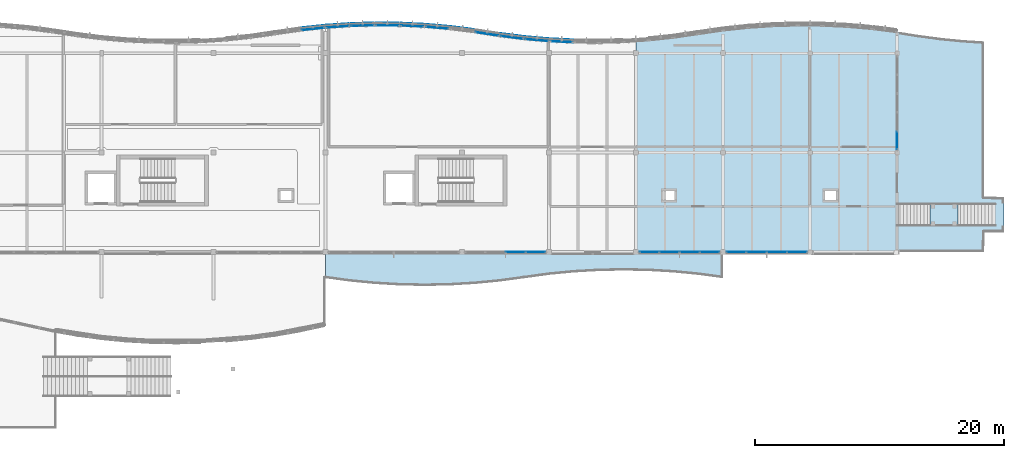
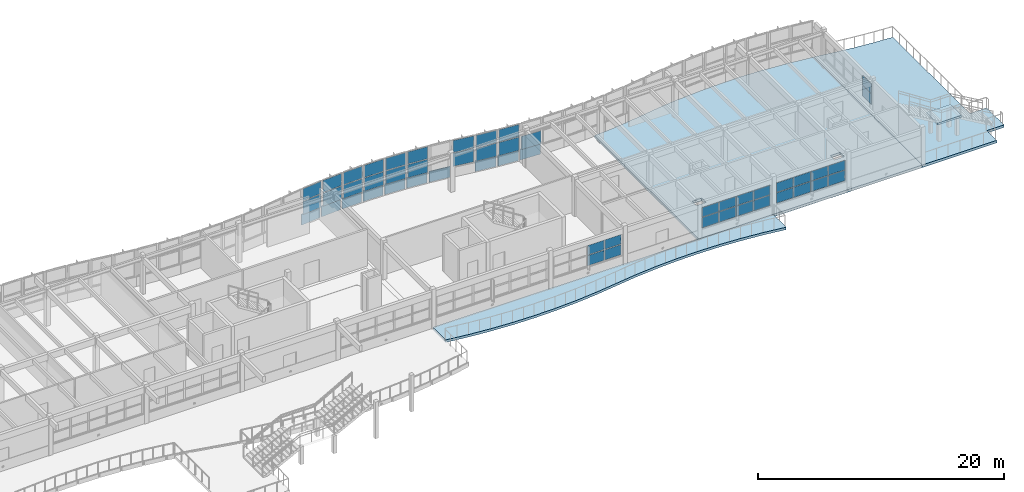
# One storey, part 26 of 52: 51 plates, 4 slabs, 15 elements without a shape of their own.
"""IFC4 building model written with IfcOpenShell, lengths in metres."""

from ifc_helpers import new_model, si_unit, direction, frame, origin, origin_2d, place, context, subcontext, project, spatial, polyline, rectangle, outline, extrude, material, layer, layer_set, type_object, element, aggregate, save


model = new_model("IFC4")

# Units and contexts
model_context = context("Model", 3, precision=1e-05, world=origin(), true_north=direction((0.0, 1.0)))
body_context = subcontext(model_context, "Body", "Model", "MODEL_VIEW")
ifc_project = project(units=[si_unit("LENGTHUNIT", "METRE"), si_unit("AREAUNIT", "SQUARE_METRE"), si_unit("VOLUMEUNIT", "CUBIC_METRE"), si_unit("PLANEANGLEUNIT", "RADIAN"), si_unit("MASSUNIT", "GRAM", prefix="KILO")], contexts=[model_context])

# Site, building, storey
site_placement = place(None, origin())
site = spatial("IfcSite", under=ifc_project, at=site_placement, CompositionType="ELEMENT")
building_placement = place(site_placement, origin())
building = spatial("IfcBuilding", under=site, at=building_placement, Name="Tonlespit Floodbar School", CompositionType="ELEMENT")
storey_placement = place(building_placement, frame((0.0, 0.0, 12.300048828125)))
storey = spatial("IfcBuildingStorey", under=building, at=storey_placement, Name="L03", CompositionType="ELEMENT", Elevation=12.300048828125)

# Curtain wall, plates
ifc_material_1 = material(Name="Anodised Aluminium", Category="aluminium")
ifc_layer_1 = layer(ifc_material_1, 0.159912109375)
ifc_layer_set_1 = layer_set([ifc_layer_1], Name="Anodised Aluminium")
curtain_wall_type_1 = type_object("IfcCurtainWallType", Name="CurtainWall_1900x2700", PredefinedType="NOTDEFINED", material=ifc_layer_set_1)
curtain_wall_1_placement = place(storey_placement, origin())
curtain_wall_1 = element("IfcCurtainWall", 1, at=curtain_wall_1_placement, inside=storey, type_object=curtain_wall_type_1, Name="L03 unitised curtain wall 0449", PredefinedType="NOTDEFINED")
ifc_material_2 = material(Name="Laminated Low-E Glass", Category="glass")
ifc_layer_2 = layer(ifc_material_2, 0.028076171875)
ifc_layer_set_2 = layer_set([ifc_layer_2], Name="Laminated Low-E Glass")
plate_type_1 = type_object("IfcPlateType", Name="CW_Panel_Glaz_28", PredefinedType="CURTAIN_PANEL", material=ifc_layer_set_2)
plate_1_placement = place(storey_placement, frame((123.0, 122.1796875, 1.01513671875), z_axis=(0.0, 0.0, 1.0), x_axis=(0.998841500616, -0.048121270216, 0.0)))
plate_1 = element("IfcPlate", 2, at=plate_1_placement, type_object=plate_type_1, Name="CW-05 panel 1.1", PredefinedType="CURTAIN_PANEL", context=body_context, shape_type="SweptSolid", body=[
    extrude(rectangle(XDim=1.792236328125, YDim=0.028076171875, at=origin_2d()), origin(), (0.0, 0.0, 1.0), 1.306396484375),
])
plate_2_placement = place(storey_placement, frame((123.0, 122.1796875, 2.38623046875), z_axis=(0.0, 0.0, 1.0), x_axis=(0.998841500616, -0.048121270216, 0.0)))
plate_2 = element("IfcPlate", 3, at=plate_2_placement, type_object=plate_type_1, Name="CW-05 panel 1.2", PredefinedType="CURTAIN_PANEL", context=body_context, shape_type="SweptSolid", body=[
    extrude(rectangle(XDim=1.792236328125, YDim=0.028076171875, at=origin_2d()), origin(), (0.0, 0.0, 1.0), 1.198486328125),
])
aggregate(curtain_wall_1, [plate_1, plate_2])

ifc_layer_3 = layer(ifc_material_1, 0.159912109375)
ifc_layer_set_3 = layer_set([ifc_layer_3], Name="Anodised Aluminium")
curtain_wall_type_2 = type_object("IfcCurtainWallType", Name="CurtainWall_1950x2700", PredefinedType="NOTDEFINED", material=ifc_layer_set_3)
curtain_wall_2_placement = place(storey_placement, origin())
curtain_wall_2 = element("IfcCurtainWall", 4, at=curtain_wall_2_placement, inside=storey, type_object=curtain_wall_type_2, Name="L03 unitised curtain wall 0453", PredefinedType="NOTDEFINED")
plate_3_placement = place(storey_placement, frame((131.0, 121.268310546875, 1.01513671875), z_axis=(0.0, 0.0, 1.0), x_axis=(0.992155002499, -0.125013803299, 0.0)))
plate_3 = element("IfcPlate", 5, at=plate_3_placement, type_object=plate_type_1, Name="CW-04 panel 1.1", PredefinedType="CURTAIN_PANEL", context=body_context, shape_type="SweptSolid", body=[
    extrude(rectangle(XDim=1.805908203125, YDim=0.028076171875, at=origin_2d()), origin(), (0.0, 0.0, 1.0), 1.306396484375),
])
plate_4_placement = place(storey_placement, frame((131.0, 121.268310546875, 2.38623046875), z_axis=(0.0, 0.0, 1.0), x_axis=(0.992155002499, -0.125013803299, 0.0)))
plate_4 = element("IfcPlate", 6, at=plate_4_placement, type_object=plate_type_1, Name="CW-04 panel 1.2", PredefinedType="CURTAIN_PANEL", context=body_context, shape_type="SweptSolid", body=[
    extrude(rectangle(XDim=1.805908203125, YDim=0.028076171875, at=origin_2d()), origin(), (0.0, 0.0, 1.0), 1.198486328125),
])
aggregate(curtain_wall_2, [plate_3, plate_4])

ifc_layer_4 = layer(ifc_material_1, 0.159912109375)
ifc_layer_set_4 = layer_set([ifc_layer_4], Name="Anodised Aluminium")
curtain_wall_type_3 = type_object("IfcCurtainWallType", Name="CurtainWall_7550x2150", PredefinedType="NOTDEFINED", material=ifc_layer_set_4)
curtain_wall_3_placement = place(storey_placement, origin())
curtain_wall_3 = element("IfcCurtainWall", 7, at=curtain_wall_3_placement, inside=storey, type_object=curtain_wall_type_3, Name="L03 unitised curtain wall 0469", PredefinedType="NOTDEFINED")
plate_5_placement = place(storey_placement, frame((162.0, 112.9921875, 1.01513671875), z_axis=(0.0, 0.0, 1.0), x_axis=(0.0, -1.0, 0.0)))
plate_5 = element("IfcPlate", 8, at=plate_5_placement, type_object=plate_type_1, Name="CW-37 panel 5.1", PredefinedType="CURTAIN_PANEL", context=body_context, shape_type="SweptSolid", body=[
    extrude(rectangle(XDim=1.41455078125, YDim=0.028076171875, at=origin_2d()), origin(), (0.0, 0.0, 1.0), 1.014404296875),
])
plate_6_placement = place(storey_placement, frame((162.0, 112.9921875, 2.09423828125), z_axis=(0.0, 0.0, 1.0), x_axis=(0.0, -1.0, 0.0)))
plate_6 = element("IfcPlate", 9, at=plate_6_placement, type_object=plate_type_1, Name="CW-37 panel 5.2", PredefinedType="CURTAIN_PANEL", context=body_context, shape_type="SweptSolid", body=[
    extrude(rectangle(XDim=1.41455078125, YDim=0.028076171875, at=origin_2d()), origin(), (0.0, 0.0, 1.0), 0.9287109375),
])
aggregate(curtain_wall_3, [plate_5, plate_6])

curtain_wall_4_placement = place(storey_placement, origin())
curtain_wall_4 = element("IfcCurtainWall", 10, at=curtain_wall_4_placement, inside=storey, type_object=curtain_wall_type_1, Name="L03 unitised curtain wall 0446", PredefinedType="NOTDEFINED")
ifc_layer_5 = layer(ifc_material_2, 0.031982421875)
ifc_layer_set_5 = layer_set([ifc_layer_5], Name="Laminated Low-E Glass")
plate_type_2 = type_object("IfcPlateType", Name="CW_Panel_Glaz_32", PredefinedType="CURTAIN_PANEL", material=ifc_layer_set_5)
plate_7_placement = place(storey_placement, frame((117.0, 122.121826171875, 1.01513671875), z_axis=(0.0, 0.0, 1.0), x_axis=(0.99773010165, 0.067339767311, 0.0)))
plate_7 = element("IfcPlate", 11, at=plate_7_placement, type_object=plate_type_2, Name="CW-05 panel 1.1", PredefinedType="CURTAIN_PANEL", context=body_context, shape_type="SweptSolid", body=[
    extrude(rectangle(XDim=1.794677734375, YDim=0.031982421875, at=origin_2d()), origin(), (0.0, 0.0, 1.0), 1.306396484375),
])
plate_8_placement = place(storey_placement, frame((117.0, 122.121826171875, 2.38623046875), z_axis=(0.0, 0.0, 1.0), x_axis=(0.99773010165, 0.067339767311, 0.0)))
plate_8 = element("IfcPlate", 12, at=plate_8_placement, type_object=plate_type_2, Name="CW-05 panel 1.2", PredefinedType="CURTAIN_PANEL", context=body_context, shape_type="SweptSolid", body=[
    extrude(rectangle(XDim=1.794677734375, YDim=0.031982421875, at=origin_2d()), origin(), (0.0, 0.0, 1.0), 1.198486328125),
])
aggregate(curtain_wall_4, [plate_7, plate_8])

curtain_wall_5_placement = place(storey_placement, origin())
curtain_wall_5 = element("IfcCurtainWall", 13, at=curtain_wall_5_placement, inside=storey, type_object=curtain_wall_type_2, Name="L03 unitised curtain wall 0450", PredefinedType="NOTDEFINED")
plate_9_placement = place(storey_placement, frame((125.0, 122.044677734375, 1.01513671875), z_axis=(0.0, 0.0, 1.0), x_axis=(0.996249148412, -0.086531117454, 0.0)))
plate_9 = element("IfcPlate", 14, at=plate_9_placement, type_object=plate_type_2, Name="CW-04 panel 1.1", PredefinedType="CURTAIN_PANEL", context=body_context, shape_type="SweptSolid", body=[
    extrude(rectangle(XDim=1.797607421875, YDim=0.031982421875, at=origin_2d()), origin(), (0.0, 0.0, 1.0), 1.306396484375),
])
plate_10_placement = place(storey_placement, frame((125.0, 122.044677734375, 2.38623046875), z_axis=(0.0, 0.0, 1.0), x_axis=(0.996249148412, -0.086531117454, 0.0)))
plate_10 = element("IfcPlate", 15, at=plate_10_placement, type_object=plate_type_2, Name="CW-04 panel 1.2", PredefinedType="CURTAIN_PANEL", context=body_context, shape_type="SweptSolid", body=[
    extrude(rectangle(XDim=1.797607421875, YDim=0.031982421875, at=origin_2d()), origin(), (0.0, 0.0, 1.0), 1.198486328125),
])
aggregate(curtain_wall_5, [plate_9, plate_10])

curtain_wall_6_placement = place(storey_placement, origin())
curtain_wall_6 = element("IfcCurtainWall", 16, at=curtain_wall_6_placement, inside=storey, type_object=curtain_wall_type_2, Name="L03 unitised curtain wall 0454", PredefinedType="NOTDEFINED")
plate_11_placement = place(storey_placement, frame((133.0, 121.055419921875, 1.01513671875), z_axis=(0.0, 0.0, 1.0), x_axis=(0.996249148412, -0.086531117454, 0.0)))
plate_11 = element("IfcPlate", 17, at=plate_11_placement, type_object=plate_type_2, Name="CW-04 panel 1.1", PredefinedType="CURTAIN_PANEL", context=body_context, shape_type="SweptSolid", body=[
    extrude(rectangle(XDim=1.797607421875, YDim=0.031982421875, at=origin_2d()), origin(), (0.0, 0.0, 1.0), 1.306396484375),
])
plate_12_placement = place(storey_placement, frame((133.0, 121.055419921875, 2.38623046875), z_axis=(0.0, 0.0, 1.0), x_axis=(0.996249148412, -0.086531117454, 0.0)))
plate_12 = element("IfcPlate", 18, at=plate_12_placement, type_object=plate_type_2, Name="CW-04 panel 1.2", PredefinedType="CURTAIN_PANEL", context=body_context, shape_type="SweptSolid", body=[
    extrude(rectangle(XDim=1.797607421875, YDim=0.031982421875, at=origin_2d()), origin(), (0.0, 0.0, 1.0), 1.198486328125),
])
aggregate(curtain_wall_6, [plate_11, plate_12])

ifc_layer_6 = layer(ifc_material_1, 0.159912109375)
ifc_layer_set_6 = layer_set([ifc_layer_6], Name="Anodised Aluminium")
curtain_wall_type_4 = type_object("IfcCurtainWallType", Name="CurtainWall_6550x2150", PredefinedType="NOTDEFINED", material=ifc_layer_set_6)
curtain_wall_7_placement = place(storey_placement, origin())
curtain_wall_7 = element("IfcCurtainWall", 19, at=curtain_wall_7_placement, inside=storey, type_object=curtain_wall_type_4, Name="L03 unitised curtain wall 0470", PredefinedType="NOTDEFINED")
plate_13_placement = place(storey_placement, frame((153.9462890625, 104.0, 1.01513671875), z_axis=(0.0, 0.0, 1.0), x_axis=(-1.0, 0.0, 0.0)))
plate_13 = element("IfcPlate", 20, at=plate_13_placement, type_object=plate_type_2, Name="CW-66 panel 1.1", PredefinedType="CURTAIN_PANEL", context=body_context, shape_type="SweptSolid", body=[
    extrude(rectangle(XDim=1.53759765625, YDim=0.031982421875, at=origin_2d()), origin(), (0.0, 0.0, 1.0), 1.014404296875),
])
plate_14_placement = place(storey_placement, frame((153.9462890625, 104.0, 2.09423828125), z_axis=(0.0, 0.0, 1.0), x_axis=(-1.0, 0.0, 0.0)))
plate_14 = element("IfcPlate", 21, at=plate_14_placement, type_object=plate_type_2, Name="CW-66 panel 1.2", PredefinedType="CURTAIN_PANEL", context=body_context, shape_type="SweptSolid", body=[
    extrude(rectangle(XDim=1.53759765625, YDim=0.031982421875, at=origin_2d()), origin(), (0.0, 0.0, 1.0), 0.9287109375),
])
plate_15_placement = place(storey_placement, frame((152.327392578125, 104.0, 1.01513671875), z_axis=(0.0, 0.0, 1.0), x_axis=(-1.0, 0.0, 0.0)))
plate_15 = element("IfcPlate", 22, at=plate_15_placement, type_object=plate_type_2, Name="CW-66 panel 2.1", PredefinedType="CURTAIN_PANEL", context=body_context, shape_type="SweptSolid", body=[
    extrude(rectangle(XDim=1.570068359375, YDim=0.031982421875, at=origin_2d()), origin(), (0.0, 0.0, 1.0), 1.014404296875),
])
plate_16_placement = place(storey_placement, frame((152.327392578125, 104.0, 2.09423828125), z_axis=(0.0, 0.0, 1.0), x_axis=(-1.0, 0.0, 0.0)))
plate_16 = element("IfcPlate", 23, at=plate_16_placement, type_object=plate_type_2, Name="CW-66 panel 2.2", PredefinedType="CURTAIN_PANEL", context=body_context, shape_type="SweptSolid", body=[
    extrude(rectangle(XDim=1.570068359375, YDim=0.031982421875, at=origin_2d()), origin(), (0.0, 0.0, 1.0), 0.9287109375),
])
plate_17_placement = place(storey_placement, frame((150.6923828125, 104.0, 1.01513671875), z_axis=(0.0, 0.0, 1.0), x_axis=(-1.0, 0.0, 0.0)))
plate_17 = element("IfcPlate", 24, at=plate_17_placement, type_object=plate_type_2, Name="CW-66 panel 3.1", PredefinedType="CURTAIN_PANEL", context=body_context, shape_type="SweptSolid", body=[
    extrude(rectangle(XDim=1.570068359375, YDim=0.031982421875, at=origin_2d()), origin(), (0.0, 0.0, 1.0), 1.014404296875),
])
plate_18_placement = place(storey_placement, frame((150.6923828125, 104.0, 2.09423828125), z_axis=(0.0, 0.0, 1.0), x_axis=(-1.0, 0.0, 0.0)))
plate_18 = element("IfcPlate", 25, at=plate_18_placement, type_object=plate_type_2, Name="CW-66 panel 3.2", PredefinedType="CURTAIN_PANEL", context=body_context, shape_type="SweptSolid", body=[
    extrude(rectangle(XDim=1.570068359375, YDim=0.031982421875, at=origin_2d()), origin(), (0.0, 0.0, 1.0), 0.9287109375),
])
plate_19_placement = place(storey_placement, frame((149.07373046875, 104.0, 1.01513671875), z_axis=(0.0, 0.0, 1.0), x_axis=(-1.0, 0.0, 0.0)))
plate_19 = element("IfcPlate", 26, at=plate_19_placement, type_object=plate_type_2, Name="CW-66 panel 4.1", PredefinedType="CURTAIN_PANEL", context=body_context, shape_type="SweptSolid", body=[
    extrude(rectangle(XDim=1.53759765625, YDim=0.031982421875, at=origin_2d()), origin(), (0.0, 0.0, 1.0), 1.014404296875),
])
plate_20_placement = place(storey_placement, frame((149.07373046875, 104.0, 2.09423828125), z_axis=(0.0, 0.0, 1.0), x_axis=(-1.0, 0.0, 0.0)))
plate_20 = element("IfcPlate", 27, at=plate_20_placement, type_object=plate_type_2, Name="CW-66 panel 4.2", PredefinedType="CURTAIN_PANEL", context=body_context, shape_type="SweptSolid", body=[
    extrude(rectangle(XDim=1.53759765625, YDim=0.031982421875, at=origin_2d()), origin(), (0.0, 0.0, 1.0), 0.9287109375),
])
aggregate(curtain_wall_7, [plate_13, plate_14, plate_15, plate_16, plate_17, plate_18, plate_19, plate_20])

curtain_wall_8_placement = place(storey_placement, origin())
curtain_wall_8 = element("IfcCurtainWall", 28, at=curtain_wall_8_placement, inside=storey, type_object=curtain_wall_type_2, Name="L03 unitised curtain wall 0159", PredefinedType="NOTDEFINED")
ifc_layer_7 = layer(ifc_material_2, 0.035888671875)
ifc_layer_set_7 = layer_set([ifc_layer_7], Name="Laminated Low-E Glass")
plate_type_3 = type_object("IfcPlateType", Name="CW_Panel_Glaz_36", PredefinedType="CURTAIN_PANEL", material=ifc_layer_set_7)
plate_21_placement = place(storey_placement, frame((115.0, 121.947998046875, 1.01513671875), z_axis=(0.0, 0.0, 1.0), x_axis=(0.994388797288, 0.105787143968, 0.0)))
plate_21 = element("IfcPlate", 29, at=plate_21_placement, type_object=plate_type_3, Name="CW-04 panel 1.1", PredefinedType="CURTAIN_PANEL", context=body_context, shape_type="SweptSolid", body=[
    extrude(rectangle(XDim=1.80126953125, YDim=0.035888671875, at=origin_2d()), origin(), (0.0, 0.0, 1.0), 1.306396484375),
])
plate_22_placement = place(storey_placement, frame((115.0, 121.947998046875, 2.38623046875), z_axis=(0.0, 0.0, 1.0), x_axis=(0.994388797288, 0.105787143968, 0.0)))
plate_22 = element("IfcPlate", 30, at=plate_22_placement, type_object=plate_type_3, Name="CW-04 panel 1.2", PredefinedType="CURTAIN_PANEL", context=body_context, shape_type="SweptSolid", body=[
    extrude(rectangle(XDim=1.80126953125, YDim=0.035888671875, at=origin_2d()), origin(), (0.0, 0.0, 1.0), 1.198486328125),
])
aggregate(curtain_wall_8, [plate_21, plate_22])

curtain_wall_9_placement = place(storey_placement, origin())
curtain_wall_9 = element("IfcCurtainWall", 31, at=curtain_wall_9_placement, inside=storey, type_object=curtain_wall_type_1, Name="L03 unitised curtain wall 0447", PredefinedType="NOTDEFINED")
plate_23_placement = place(storey_placement, frame((119.0, 122.21826171875, 1.01513671875), z_axis=(0.0, 0.0, 1.0), x_axis=(0.999585477883, 0.028790144226, 0.0)))
plate_23 = element("IfcPlate", 32, at=plate_23_placement, type_object=plate_type_3, Name="CW-05 panel 1.1", PredefinedType="CURTAIN_PANEL", context=body_context, shape_type="SweptSolid", body=[
    extrude(rectangle(XDim=1.790771484375, YDim=0.035888671875, at=origin_2d()), origin(), (0.0, 0.0, 1.0), 1.306396484375),
])
plate_24_placement = place(storey_placement, frame((119.0, 122.21826171875, 2.38623046875), z_axis=(0.0, 0.0, 1.0), x_axis=(0.999585477883, 0.028790144226, 0.0)))
plate_24 = element("IfcPlate", 33, at=plate_24_placement, type_object=plate_type_3, Name="CW-05 panel 1.2", PredefinedType="CURTAIN_PANEL", context=body_context, shape_type="SweptSolid", body=[
    extrude(rectangle(XDim=1.790771484375, YDim=0.035888671875, at=origin_2d()), origin(), (0.0, 0.0, 1.0), 1.198486328125),
])
aggregate(curtain_wall_9, [plate_23, plate_24])

# Curtain wall, plate
curtain_wall_10_placement = place(storey_placement, origin())
curtain_wall_10 = element("IfcCurtainWall", 34, at=curtain_wall_10_placement, inside=storey, type_object=curtain_wall_type_1, Name="L03 unitised curtain wall 0455", PredefinedType="NOTDEFINED")
plate_25_placement = place(storey_placement, frame((135.0, 120.92041015625, 1.01513671875), z_axis=(0.0, 0.0, 1.0), x_axis=(0.998841500616, -0.048121270216, 0.0)))
plate_25 = element("IfcPlate", 35, at=plate_25_placement, type_object=plate_type_3, Name="CW-05 panel 1.1", PredefinedType="CURTAIN_PANEL", context=body_context, shape_type="SweptSolid", body=[
    extrude(rectangle(XDim=1.792236328125, YDim=0.035888671875, at=origin_2d()), origin(), (0.0, 0.0, 1.0), 1.306396484375),
])
aggregate(curtain_wall_10, [plate_25])

# Curtain wall, plates
ifc_layer_8 = layer(ifc_material_1, 0.159912109375)
ifc_layer_set_8 = layer_set([ifc_layer_8], Name="Anodised Aluminium")
curtain_wall_type_5 = type_object("IfcCurtainWallType", Name="CurtainWall_6500x2150", PredefinedType="NOTDEFINED", material=ifc_layer_set_8)
curtain_wall_11_placement = place(storey_placement, origin())
curtain_wall_11 = element("IfcCurtainWall", 36, at=curtain_wall_11_placement, inside=storey, type_object=curtain_wall_type_5, Name="L03 unitised curtain wall 0471", PredefinedType="NOTDEFINED")
plate_26_placement = place(storey_placement, frame((146.9287109375, 104.0, 1.014892578125), z_axis=(0.0, 0.0, 1.0), x_axis=(-1.0, 0.0, 0.0)))
plate_26 = element("IfcPlate", 37, at=plate_26_placement, type_object=plate_type_3, Name="CW-67 panel 1.1", PredefinedType="CURTAIN_PANEL", context=body_context, shape_type="SweptSolid", body=[
    extrude(rectangle(XDim=1.532470703125, YDim=0.035888671875, at=origin_2d()), origin(), (0.0, 0.0, 1.0), 1.0126953125),
])
plate_27_placement = place(storey_placement, frame((146.9287109375, 104.0, 2.0927734375), z_axis=(0.0, 0.0, 1.0), x_axis=(-1.0, 0.0, 0.0)))
plate_27 = element("IfcPlate", 38, at=plate_27_placement, type_object=plate_type_3, Name="CW-67 panel 1.2", PredefinedType="CURTAIN_PANEL", context=body_context, shape_type="SweptSolid", body=[
    extrude(rectangle(XDim=1.532470703125, YDim=0.035888671875, at=origin_2d()), origin(), (0.0, 0.0, 1.0), 0.92724609375),
])
plate_28_placement = place(storey_placement, frame((145.31494140625, 104.0, 1.014892578125), z_axis=(0.0, 0.0, 1.0), x_axis=(-1.0, 0.0, 0.0)))
plate_28 = element("IfcPlate", 39, at=plate_28_placement, type_object=plate_type_3, Name="CW-67 panel 2.1", PredefinedType="CURTAIN_PANEL", context=body_context, shape_type="SweptSolid", body=[
    extrude(rectangle(XDim=1.56494140625, YDim=0.035888671875, at=origin_2d()), origin(), (0.0, 0.0, 1.0), 1.0126953125),
])
plate_29_placement = place(storey_placement, frame((145.31494140625, 104.0, 2.0927734375), z_axis=(0.0, 0.0, 1.0), x_axis=(-1.0, 0.0, 0.0)))
plate_29 = element("IfcPlate", 40, at=plate_29_placement, type_object=plate_type_3, Name="CW-67 panel 2.2", PredefinedType="CURTAIN_PANEL", context=body_context, shape_type="SweptSolid", body=[
    extrude(rectangle(XDim=1.56494140625, YDim=0.035888671875, at=origin_2d()), origin(), (0.0, 0.0, 1.0), 0.92724609375),
])
plate_30_placement = place(storey_placement, frame((143.68505859375, 104.0, 1.014892578125), z_axis=(0.0, 0.0, 1.0), x_axis=(-1.0, 0.0, 0.0)))
plate_30 = element("IfcPlate", 41, at=plate_30_placement, type_object=plate_type_3, Name="CW-67 panel 3.1", PredefinedType="CURTAIN_PANEL", context=body_context, shape_type="SweptSolid", body=[
    extrude(rectangle(XDim=1.56494140625, YDim=0.035888671875, at=origin_2d()), origin(), (0.0, 0.0, 1.0), 1.0126953125),
])
plate_31_placement = place(storey_placement, frame((143.68505859375, 104.0, 2.0927734375), z_axis=(0.0, 0.0, 1.0), x_axis=(-1.0, 0.0, 0.0)))
plate_31 = element("IfcPlate", 42, at=plate_31_placement, type_object=plate_type_3, Name="CW-67 panel 3.2", PredefinedType="CURTAIN_PANEL", context=body_context, shape_type="SweptSolid", body=[
    extrude(rectangle(XDim=1.56494140625, YDim=0.035888671875, at=origin_2d()), origin(), (0.0, 0.0, 1.0), 0.92724609375),
])
plate_32_placement = place(storey_placement, frame((142.0712890625, 104.0, 1.014892578125), z_axis=(0.0, 0.0, 1.0), x_axis=(-1.0, 0.0, 0.0)))
plate_32 = element("IfcPlate", 43, at=plate_32_placement, type_object=plate_type_3, Name="CW-67 panel 4.1", PredefinedType="CURTAIN_PANEL", context=body_context, shape_type="SweptSolid", body=[
    extrude(rectangle(XDim=1.532470703125, YDim=0.035888671875, at=origin_2d()), origin(), (0.0, 0.0, 1.0), 1.0126953125),
])
plate_33_placement = place(storey_placement, frame((142.0712890625, 104.0, 2.0927734375), z_axis=(0.0, 0.0, 1.0), x_axis=(-1.0, 0.0, 0.0)))
plate_33 = element("IfcPlate", 44, at=plate_33_placement, type_object=plate_type_3, Name="CW-67 panel 4.2", PredefinedType="CURTAIN_PANEL", context=body_context, shape_type="SweptSolid", body=[
    extrude(rectangle(XDim=1.532470703125, YDim=0.035888671875, at=origin_2d()), origin(), (0.0, 0.0, 1.0), 0.92724609375),
])
aggregate(curtain_wall_11, [plate_26, plate_27, plate_28, plate_29, plate_30, plate_31, plate_32, plate_33])

curtain_wall_12_placement = place(storey_placement, origin())
curtain_wall_12 = element("IfcCurtainWall", 45, at=curtain_wall_12_placement, inside=storey, type_object=curtain_wall_type_1, Name="L03 unitised curtain wall 0448", PredefinedType="NOTDEFINED")
ifc_layer_9 = layer(ifc_material_2, 0.0419921875)
ifc_layer_set_9 = layer_set([ifc_layer_9], Name="Laminated Low-E Glass")
plate_type_4 = type_object("IfcPlateType", Name="CW_Panel_Glaz_42", PredefinedType="CURTAIN_PANEL", material=ifc_layer_set_9)
plate_34_placement = place(storey_placement, frame((121.0, 122.2373046875, 1.01513671875), z_axis=(0.0, 0.0, 1.0), x_axis=(0.999954083024, -0.009582893292, 0.0)))
plate_34 = element("IfcPlate", 46, at=plate_34_placement, type_object=plate_type_4, Name="CW-05 panel 1.1", PredefinedType="CURTAIN_PANEL", context=body_context, shape_type="SweptSolid", body=[
    extrude(rectangle(XDim=1.7900390625, YDim=0.0419921875, at=origin_2d()), origin(), (0.0, 0.0, 1.0), 1.306396484375),
])
plate_35_placement = place(storey_placement, frame((121.0, 122.2373046875, 2.38623046875), z_axis=(0.0, 0.0, 1.0), x_axis=(0.999954083024, -0.009582893292, 0.0)))
plate_35 = element("IfcPlate", 47, at=plate_35_placement, type_object=plate_type_4, Name="CW-05 panel 1.2", PredefinedType="CURTAIN_PANEL", context=body_context, shape_type="SweptSolid", body=[
    extrude(rectangle(XDim=1.7900390625, YDim=0.0419921875, at=origin_2d()), origin(), (0.0, 0.0, 1.0), 1.198486328125),
])
aggregate(curtain_wall_12, [plate_34, plate_35])

curtain_wall_13_placement = place(storey_placement, origin())
curtain_wall_13 = element("IfcCurtainWall", 48, at=curtain_wall_13_placement, inside=storey, type_object=curtain_wall_type_2, Name="L03 unitised curtain wall 0452", PredefinedType="NOTDEFINED")
plate_36_placement = place(storey_placement, frame((129.0, 121.550048828125, 1.01513671875), z_axis=(0.0, 0.0, 1.0), x_axis=(0.988102576465, -0.153796288585, 0.0)))
plate_36 = element("IfcPlate", 49, at=plate_36_placement, type_object=plate_type_4, Name="CW-04 panel 1.1", PredefinedType="CURTAIN_PANEL", context=body_context, shape_type="SweptSolid", body=[
    extrude(rectangle(XDim=1.814208984375, YDim=0.0419921875, at=origin_2d()), origin(), (0.0, 0.0, 1.0), 1.306396484375),
])
plate_37_placement = place(storey_placement, frame((129.0, 121.550048828125, 2.38623046875), z_axis=(0.0, 0.0, 1.0), x_axis=(0.988102576465, -0.153796288585, 0.0)))
plate_37 = element("IfcPlate", 50, at=plate_37_placement, type_object=plate_type_4, Name="CW-04 panel 1.2", PredefinedType="CURTAIN_PANEL", context=body_context, shape_type="SweptSolid", body=[
    extrude(rectangle(XDim=1.814208984375, YDim=0.0419921875, at=origin_2d()), origin(), (0.0, 0.0, 1.0), 1.198486328125),
])
aggregate(curtain_wall_13, [plate_36, plate_37])

curtain_wall_14_placement = place(storey_placement, origin())
curtain_wall_14 = element("IfcCurtainWall", 51, at=curtain_wall_14_placement, inside=storey, type_object=curtain_wall_type_5, Name="L03 unitised curtain wall 0472", PredefinedType="NOTDEFINED")
plate_38_placement = place(storey_placement, frame((132.9287109375, 104.0, 1.014892578125), z_axis=(0.0, 0.0, 1.0), x_axis=(-1.0, 0.0, 0.0)))
plate_38 = element("IfcPlate", 52, at=plate_38_placement, type_object=plate_type_4, Name="CW-67 panel 1.1", PredefinedType="CURTAIN_PANEL", context=body_context, shape_type="SweptSolid", body=[
    extrude(rectangle(XDim=1.532470703125, YDim=0.0419921875, at=origin_2d()), origin(), (0.0, 0.0, 1.0), 1.0126953125),
])
plate_39_placement = place(storey_placement, frame((132.9287109375, 104.0, 2.0927734375), z_axis=(0.0, 0.0, 1.0), x_axis=(-1.0, 0.0, 0.0)))
plate_39 = element("IfcPlate", 53, at=plate_39_placement, type_object=plate_type_4, Name="CW-67 panel 1.2", PredefinedType="CURTAIN_PANEL", context=body_context, shape_type="SweptSolid", body=[
    extrude(rectangle(XDim=1.532470703125, YDim=0.0419921875, at=origin_2d()), origin(), (0.0, 0.0, 1.0), 0.92724609375),
])
plate_40_placement = place(storey_placement, frame((131.31494140625, 104.0, 1.014892578125), z_axis=(0.0, 0.0, 1.0), x_axis=(-1.0, 0.0, 0.0)))
plate_40 = element("IfcPlate", 54, at=plate_40_placement, type_object=plate_type_4, Name="CW-67 panel 2.1", PredefinedType="CURTAIN_PANEL", context=body_context, shape_type="SweptSolid", body=[
    extrude(rectangle(XDim=1.56494140625, YDim=0.0419921875, at=origin_2d()), origin(), (0.0, 0.0, 1.0), 1.0126953125),
])
plate_41_placement = place(storey_placement, frame((131.31494140625, 104.0, 2.0927734375), z_axis=(0.0, 0.0, 1.0), x_axis=(-1.0, 0.0, 0.0)))
plate_41 = element("IfcPlate", 55, at=plate_41_placement, type_object=plate_type_4, Name="CW-67 panel 2.2", PredefinedType="CURTAIN_PANEL", context=body_context, shape_type="SweptSolid", body=[
    extrude(rectangle(XDim=1.56494140625, YDim=0.0419921875, at=origin_2d()), origin(), (0.0, 0.0, 1.0), 0.92724609375),
])
aggregate(curtain_wall_14, [plate_38, plate_39, plate_40, plate_41])

# Plates
ifc_material_3 = material(Name="White Architectural Aluminium", Category="aluminium")
ifc_layer_10 = layer(ifc_material_3, 0.06494140625)
ifc_layer_set_10 = layer_set([ifc_layer_10], Name="White Architectural Aluminium")
plate_type_5 = type_object("IfcPlateType", Name="FacadeRibbon_White_65", PredefinedType="SHEET", material=ifc_layer_set_10)
plate_42_placement = place(storey_placement, frame((114.980712890625, 122.12890625, -0.1201171875), z_axis=(0.0, 0.0, 1.0), x_axis=(0.99439234017, 0.105753835922, 0.0)))
element("IfcPlate", 56, at=plate_42_placement, inside=storey, type_object=plate_type_5, Name="L03 flowing white street spandrel ribbon 0249", PredefinedType="SHEET", context=body_context, shape_type="SweptSolid", body=[
    extrude(rectangle(XDim=1.851318359375, YDim=0.06494140625, at=origin_2d()), origin(), (0.0, 0.0, 1.0), 1.070068359375),
])
plate_43_placement = place(storey_placement, frame((116.98779296875, 122.303466796875, -0.1201171875), z_axis=(0.0, 0.0, 1.0), x_axis=(0.997729639049, 0.067346621018, 0.0)))
element("IfcPlate", 57, at=plate_43_placement, inside=storey, type_object=plate_type_5, Name="L03 flowing white street spandrel ribbon 0697", PredefinedType="SHEET", context=body_context, shape_type="SweptSolid", body=[
    extrude(rectangle(XDim=1.844482421875, YDim=0.06494140625, at=origin_2d()), origin(), (0.0, 0.0, 1.0), 1.070068359375),
])
plate_44_placement = place(storey_placement, frame((118.994873046875, 122.400146484375, -0.1201171875), z_axis=(0.0, 0.0, 1.0), x_axis=(0.999584110869, 0.02883756748, 0.0)))
element("IfcPlate", 58, at=plate_44_placement, inside=storey, type_object=plate_type_5, Name="L03 flowing white street spandrel ribbon 0698", PredefinedType="SHEET", context=body_context, shape_type="SweptSolid", body=[
    extrude(rectangle(XDim=1.8408203125, YDim=0.06494140625, at=origin_2d()), origin(), (0.0, 0.0, 1.0), 1.070068359375),
])
plate_45_placement = place(storey_placement, frame((121.001708984375, 122.41943359375, -0.1201171875), z_axis=(0.0, 0.0, 1.0), x_axis=(0.999953926969, -0.009599163462, 0.0)))
element("IfcPlate", 59, at=plate_45_placement, inside=storey, type_object=plate_type_5, Name="L03 flowing white street spandrel ribbon 0699", PredefinedType="SHEET", context=body_context, shape_type="SweptSolid", body=[
    extrude(rectangle(XDim=1.840087890625, YDim=0.06494140625, at=origin_2d()), origin(), (0.0, 0.0, 1.0), 1.070068359375),
])
plate_46_placement = place(storey_placement, frame((123.0087890625, 122.361328125, -0.1201171875), z_axis=(0.0, 0.0, 1.0), x_axis=(0.998842769234, -0.048094930587, 0.0)))
element("IfcPlate", 60, at=plate_46_placement, inside=storey, type_object=plate_type_5, Name="L03 flowing white street spandrel ribbon 0700", PredefinedType="SHEET", context=body_context, shape_type="SweptSolid", body=[
    extrude(rectangle(XDim=1.84228515625, YDim=0.06494140625, at=origin_2d()), origin(), (0.0, 0.0, 1.0), 1.070068359375),
])
plate_47_placement = place(storey_placement, frame((125.015869140625, 122.225830078125, -0.1201171875), z_axis=(0.0, 0.0, 1.0), x_axis=(0.996245486492, -0.086573267488, 0.0)))
element("IfcPlate", 61, at=plate_47_placement, inside=storey, type_object=plate_type_5, Name="L03 flowing white street spandrel ribbon 0701", PredefinedType="SHEET", context=body_context, shape_type="SweptSolid", body=[
    extrude(rectangle(XDim=1.847412109375, YDim=0.06494140625, at=origin_2d()), origin(), (0.0, 0.0, 1.0), 1.070068359375),
])
for number, where, z_axis, x_axis, name in (
    (62, (127.022705078125, 122.01220703125, -0.1201171875), (0.0, 0.0, 1.0), (0.99215533612, -0.125011155539, 0.0), "L03 flowing white street spandrel ribbon 0702"),
    (63, (131.022705078125, 121.448974609375, -0.1201171875), (0.0, 0.0, 1.0), (0.99215533612, -0.125011155539, 0.0), "L03 flowing white street spandrel ribbon 0704"),
):
    element("IfcPlate", number, at=place(storey_placement, frame(where, z_axis=z_axis, x_axis=x_axis)), inside=storey, type_object=plate_type_5, Name=name, PredefinedType="SHEET", context=body_context, shape_type="SweptSolid", body=[
        extrude(rectangle(XDim=1.855712890625, YDim=0.06494140625, at=origin_2d()), origin(), (0.0, 0.0, 1.0), 1.070068359375),
    ])
plate_48_placement = place(storey_placement, frame((133.015869140625, 121.23681640625, -0.1201171875), z_axis=(0.0, 0.0, 1.0), x_axis=(0.996245486492, -0.086573267488, 0.0)))
element("IfcPlate", 64, at=plate_48_placement, inside=storey, type_object=plate_type_5, Name="L03 flowing white street spandrel ribbon 0705", PredefinedType="SHEET", context=body_context, shape_type="SweptSolid", body=[
    extrude(rectangle(XDim=1.847412109375, YDim=0.06494140625, at=origin_2d()), origin(), (0.0, 0.0, 1.0), 1.070068359375),
])
plate_49_placement = place(storey_placement, frame((135.0087890625, 121.10205078125, -0.1201171875), z_axis=(0.0, 0.0, 1.0), x_axis=(0.998842769234, -0.048094930587, 0.0)))
element("IfcPlate", 65, at=plate_49_placement, inside=storey, type_object=plate_type_5, Name="L03 flowing white street spandrel ribbon 0706", PredefinedType="SHEET", context=body_context, shape_type="SweptSolid", body=[
    extrude(rectangle(XDim=1.84228515625, YDim=0.06494140625, at=origin_2d()), origin(), (0.0, 0.0, 1.0), 1.070068359375),
])

# Stair, slab
ifc_material_4 = material(Name="Glulam GL28h", Category="wood")
stair_type = type_object("IfcStairType", Name="Stair_Feature_1800_Upp", PredefinedType="STRAIGHT_RUN_STAIR", material=ifc_material_4)
stair_placement = place(storey_placement, origin())
stair = element("IfcStair", 66, at=stair_placement, inside=storey, type_object=stair_type, Name="L03 stair ST-L2", PredefinedType="STRAIGHT_RUN_STAIR")
ifc_material_5 = material(Name="White Architectural Precast concrete C40/50", Category="concrete")
ifc_layer_11 = layer(ifc_material_5, 0.199951171875)
ifc_layer_set_11 = layer_set([ifc_layer_11], Name="White Architectural Precast concrete C40/50")
slab_type_1 = type_object("IfcSlabType", Name="Landing_Court_RC215", PredefinedType="LANDING", material=ifc_layer_set_11)
slab_1_placement = place(storey_placement, frame((0.0, 0.0, 1.75)))
slab_1 = element("IfcSlab", 67, at=slab_1_placement, type_object=slab_type_1, Name="ST-L2 landing 1", PredefinedType="LANDING", context=body_context, shape_type="SweptSolid", body=[
    extrude(outline(polyline([(166.89990234375, 107.89990234375), (164.659912109375, 107.89990234375), (164.659912109375, 106.10009765625), (166.89990234375, 106.10009765625), (166.89990234375, 107.89990234375)])), origin(), (0.0, 0.0, 1.0), 0.199951171875),
])
aggregate(stair, [slab_1])

# Slabs
ifc_material_6 = material(Name="CLT C24", Category="wood")
ifc_layer_12 = layer(ifc_material_6, 0.2548828125)
ifc_layer_set_12 = layer_set([ifc_layer_12], Name="CLT C24")
slab_type_2 = type_object("IfcSlabType", Name="Slab_Floor_CLT_220", PredefinedType="FLOOR", material=ifc_layer_set_12)
slab_2_placement = place(storey_placement, frame((0.0, 0.0, -0.255126953125)))
element("IfcSlab", 68, at=slab_2_placement, inside=storey, type_object=slab_type_2, Name="L03 V4 L03 east arts slab", PredefinedType="FLOOR", context=body_context, shape_type="SweptSolid", body=[
    extrude(outline(polyline([(141.0, 104.0), (162.0, 104.0), (162.0, 121.705810546875), (159.89990234375, 121.96826171875), (157.800048828125, 122.14453125), (155.699951171875, 122.235595703125), (153.60009765625, 122.24169921875), (151.5, 122.162841796875), (149.39990234375, 121.998779296875), (147.300048828125, 121.74853515625), (145.199951171875, 121.423828125), (143.10009765625, 121.153076171875), (141.0, 120.968505859375), (141.0, 104.0)]), holes=[polyline([(143.199951171875, 108.199951171875), (144.10009765625, 108.199951171875), (144.10009765625, 108.89990234375), (143.199951171875, 108.89990234375), (143.199951171875, 108.199951171875)]), polyline([(156.199951171875, 108.199951171875), (157.10009765625, 108.199951171875), (157.10009765625, 108.89990234375), (156.199951171875, 108.89990234375), (156.199951171875, 108.199951171875)])]), origin(), (0.0, 0.0, 1.0), 0.255126953125),
])
ifc_layer_13 = layer(ifc_material_6, 0.251953125)
ifc_layer_set_13 = layer_set([ifc_layer_13], Name="CLT C24")
slab_type_3 = type_object("IfcSlabType", Name="Slab_Terrace_CLT_210", PredefinedType="FLOOR", material=ifc_layer_set_13)
slab_3_placement = place(storey_placement, frame((0.0, 0.0, -0.251953125)))
element("IfcSlab", 69, at=slab_3_placement, inside=storey, type_object=slab_type_3, Name="L03 V4 L03 east step terrace", PredefinedType="FLOOR", context=body_context, shape_type="SweptSolid", body=[
    extrude(outline(polyline([(162.0, 104.0), (169.0, 104.0), (169.0, 105.60009765625), (170.60009765625, 105.60009765625), (170.60009765625, 108.39990234375), (169.0, 108.39990234375), (169.0, 120.91064453125), (167.25, 121.024658203125), (165.5, 121.197998046875), (163.75, 121.431396484375), (162.0, 121.705810546875), (162.0, 104.0)])), origin(), (0.0, 0.0, 1.0), 0.251953125),
])
ifc_layer_14 = layer(ifc_material_6, 0.243896484375)
ifc_layer_set_14 = layer_set([ifc_layer_14], Name="CLT C24")
slab_type_4 = type_object("IfcSlabType", Name="Slab_Terrace_CLT_244", PredefinedType="FLOOR", material=ifc_layer_set_14)
slab_4_placement = place(storey_placement, frame((0.0, 0.0, -0.244140625)))
element("IfcSlab", 70, at=slab_4_placement, inside=storey, type_object=slab_type_4, Name="L03 V4 L03 curved courtyard gallery", PredefinedType="FLOOR", context=body_context, shape_type="SweptSolid", body=[
    extrude(outline(polyline([(116.0, 101.89990234375), (118.0, 101.628173828125), (120.0, 101.43505859375), (122.0, 101.3193359375), (124.0, 101.281005859375), (126.0, 101.3193359375), (128.0, 101.43505859375), (130.0, 101.628173828125), (132.0, 101.89990234375), (134.0, 102.171875), (136.0, 102.364990234375), (138.0, 102.480712890625), (140.0, 102.51904296875), (142.0, 102.480712890625), (144.0, 102.364990234375), (146.0, 102.171875), (148.0, 101.89990234375), (148.0, 104.0), (116.0, 104.0), (116.0, 101.89990234375)])), origin(), (0.0, 0.0, 1.0), 0.244140625),
])

save(model, "model.ifc")
